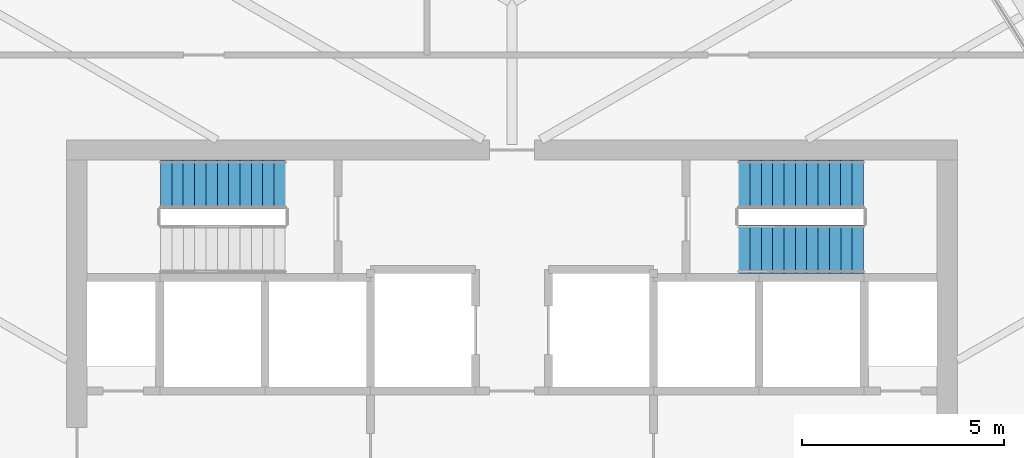
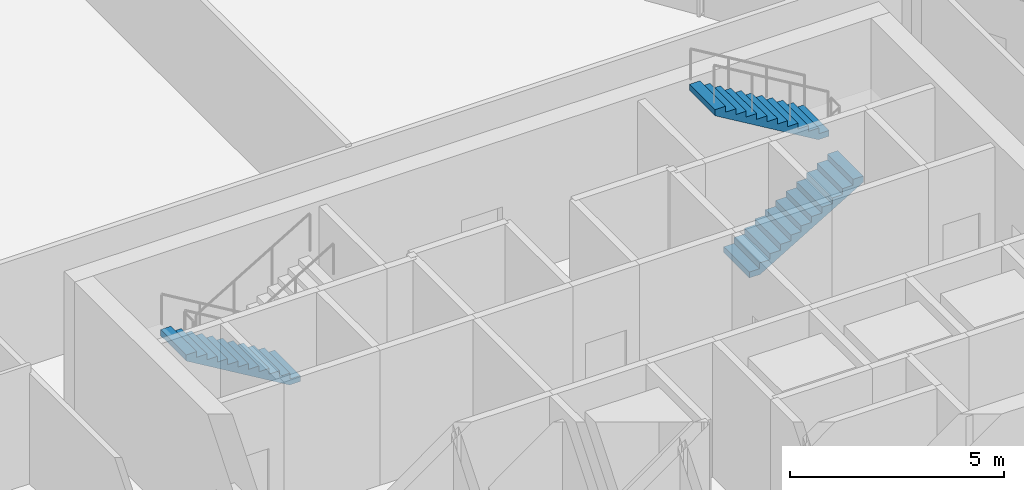
# One storey, part 17 of 22: 3 stair flights, 2 elements without a shape of their own.
"""IFC4 building model written with IfcOpenShell, lengths in metres."""

from ifc_helpers import new_model, si_unit, direction, frame, origin, place, context, subcontext, project, spatial, polyline, outline, extrude, material, type_object, element, aggregate, save


model = new_model("IFC4")

# Units and contexts
model_context = context("Model", 3, precision=1e-05, world=origin(), true_north=direction((0.0, 1.0)))
body_context = subcontext(model_context, "Body", "Model", "MODEL_VIEW")
ifc_project = project(units=[si_unit("LENGTHUNIT", "METRE"), si_unit("AREAUNIT", "SQUARE_METRE"), si_unit("VOLUMEUNIT", "CUBIC_METRE"), si_unit("PLANEANGLEUNIT", "RADIAN"), si_unit("MASSUNIT", "GRAM", prefix="KILO")], contexts=[model_context])

# Site, building, storey
site_placement = place(None, origin())
site = spatial("IfcSite", under=ifc_project, at=site_placement, CompositionType="ELEMENT")
building_placement = place(site_placement, origin())
building = spatial("IfcBuilding", under=site, at=building_placement, Name="Sierra Prisma Convention Tower", CompositionType="ELEMENT")
storey_placement = place(building_placement, frame((0.0, 0.0, 141.800048828125)))
storey = spatial("IfcBuildingStorey", under=building, at=storey_placement, Name="L30", CompositionType="ELEMENT", Elevation=141.800048828125)

# Stair, stair flight
ifc_material_1 = material(Name="Concrete C30/37", Category="concrete")
stair_type = type_object("IfcStairType", Name="Stair dog-leg 1200 RC", PredefinedType="HALF_TURN_STAIR", material=ifc_material_1)
stair_1_placement = place(storey_placement, origin())
stair_1 = element("IfcStair", 1, at=stair_1_placement, inside=storey, type_object=stair_type, Name="L30 S3", PredefinedType="HALF_TURN_STAIR")
ifc_material_2 = material(Name="Concrete C30/37", Category="concrete")
stair_flight_type = type_object("IfcStairFlightType", Name="Stair flight RC 1200", PredefinedType="STRAIGHT", material=ifc_material_2)
stair_flight_1_placement = place(storey_placement, frame((-5.60009765625, 6.89990234375, 0.0), z_axis=(0.0, 0.0, 1.0), x_axis=(-1.0, 0.0, 0.0)))
stair_flight_1 = element("IfcStairFlight", 2, at=stair_flight_1_placement, type_object=stair_flight_type, Name="S3 flight 1", NumberOfRisers=12, NumberOfTreads=11, PredefinedType="STRAIGHT", RiserHeight=0.166666667, TreadLength=0.28, context=body_context, shape_type="SweptSolid", body=[
    extrude(outline(polyline([(0.0, 0.0), (0.0, 0.166748046875), (0.280029296875, 0.166748046875), (0.280029296875, 0.333251953125), (0.56005859375, 0.333251953125), (0.56005859375, 0.5), (0.840087890625, 0.5), (0.840087890625, 0.666748046875), (1.1201171875, 0.666748046875), (1.1201171875, 0.833251953125), (1.39990234375, 0.833251953125), (1.39990234375, 1.0), (1.679931640625, 1.0), (1.679931640625, 1.166748046875), (1.9599609375, 1.166748046875), (1.9599609375, 1.333251953125), (2.239990234375, 1.333251953125), (2.239990234375, 1.5), (2.52001953125, 1.5), (2.52001953125, 1.666748046875), (2.800048828125, 1.666748046875), (2.800048828125, 1.833251953125), (3.080078125, 1.833251953125), (3.080078125, 2.0), (3.080078125, 1.658935546875), (0.29296875, 0.0), (0.0, 0.0)])), frame((0.0, 0.60009765625, 0.0), z_axis=(0.0, -1.0, 0.0), x_axis=(1.0, 0.0, 0.0)), (0.0, 0.0, 1.0), 1.199951171875),
])
aggregate(stair_1, [stair_flight_1])

# Stair, stair flights
stair_2_placement = place(storey_placement, origin())
stair_2 = element("IfcStair", 3, at=stair_2_placement, inside=storey, type_object=stair_type, Name="L30 S4", PredefinedType="HALF_TURN_STAIR")
stair_flight_2_placement = place(storey_placement, frame((5.60009765625, 5.300048828125, 0.0), z_axis=(0.0, 0.0, 1.0), x_axis=(1.0, 0.0, 0.0)))
stair_flight_2 = element("IfcStairFlight", 4, at=stair_flight_2_placement, type_object=stair_flight_type, Name="S4 flight 1", NumberOfRisers=12, NumberOfTreads=11, PredefinedType="STRAIGHT", RiserHeight=0.166666667, TreadLength=0.28, context=body_context, shape_type="SweptSolid", body=[
    extrude(outline(polyline([(0.0, 0.0), (0.0, 0.166748046875), (0.280029296875, 0.166748046875), (0.280029296875, 0.333251953125), (0.56005859375, 0.333251953125), (0.56005859375, 0.5), (0.840087890625, 0.5), (0.840087890625, 0.666748046875), (1.1201171875, 0.666748046875), (1.1201171875, 0.833251953125), (1.39990234375, 0.833251953125), (1.39990234375, 1.0), (1.679931640625, 1.0), (1.679931640625, 1.166748046875), (1.9599609375, 1.166748046875), (1.9599609375, 1.333251953125), (2.239990234375, 1.333251953125), (2.239990234375, 1.5), (2.52001953125, 1.5), (2.52001953125, 1.666748046875), (2.800048828125, 1.666748046875), (2.800048828125, 1.833251953125), (3.080078125, 1.833251953125), (3.080078125, 2.0), (3.080078125, 1.658935546875), (0.29296875, 0.0), (0.0, 0.0)])), frame((0.0, 0.60009765625, 0.0), z_axis=(0.0, -1.0, 0.0), x_axis=(1.0, 0.0, 0.0)), (0.0, 0.0, 1.0), 1.199951171875),
])
stair_flight_3_placement = place(storey_placement, frame((8.679931640625, 6.89990234375, 2.0), z_axis=(0.0, 0.0, 1.0), x_axis=(-1.0, 0.0, 0.0)))
stair_flight_3 = element("IfcStairFlight", 5, at=stair_flight_3_placement, type_object=stair_flight_type, Name="S4 flight 2", NumberOfRisers=12, NumberOfTreads=11, PredefinedType="STRAIGHT", RiserHeight=0.166666667, TreadLength=0.28, context=body_context, shape_type="SweptSolid", body=[
    extrude(outline(polyline([(0.0, 0.0), (0.0, 0.166748046875), (0.280029296875, 0.166748046875), (0.280029296875, 0.333251953125), (0.56005859375, 0.333251953125), (0.56005859375, 0.5), (0.840087890625, 0.5), (0.840087890625, 0.666748046875), (1.1201171875, 0.666748046875), (1.1201171875, 0.833251953125), (1.39990234375, 0.833251953125), (1.39990234375, 1.0), (1.679931640625, 1.0), (1.679931640625, 1.166748046875), (1.9599609375, 1.166748046875), (1.9599609375, 1.333251953125), (2.239990234375, 1.333251953125), (2.239990234375, 1.5), (2.52001953125, 1.5), (2.52001953125, 1.666748046875), (2.800048828125, 1.666748046875), (2.800048828125, 1.833251953125), (3.080078125, 1.833251953125), (3.080078125, 2.0), (3.080078125, 1.658935546875), (0.29296875, 0.0), (0.0, 0.0)])), frame((0.0, 0.60009765625, 0.0), z_axis=(0.0, -1.0, 0.0), x_axis=(1.0, 0.0, 0.0)), (0.0, 0.0, 1.0), 1.199951171875),
])
aggregate(stair_2, [stair_flight_2, stair_flight_3])

save(model, "model.ifc")
